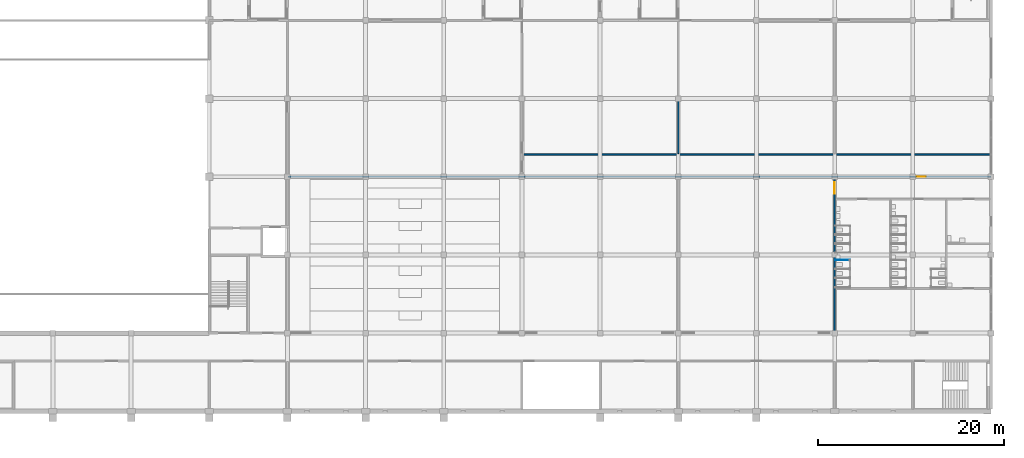
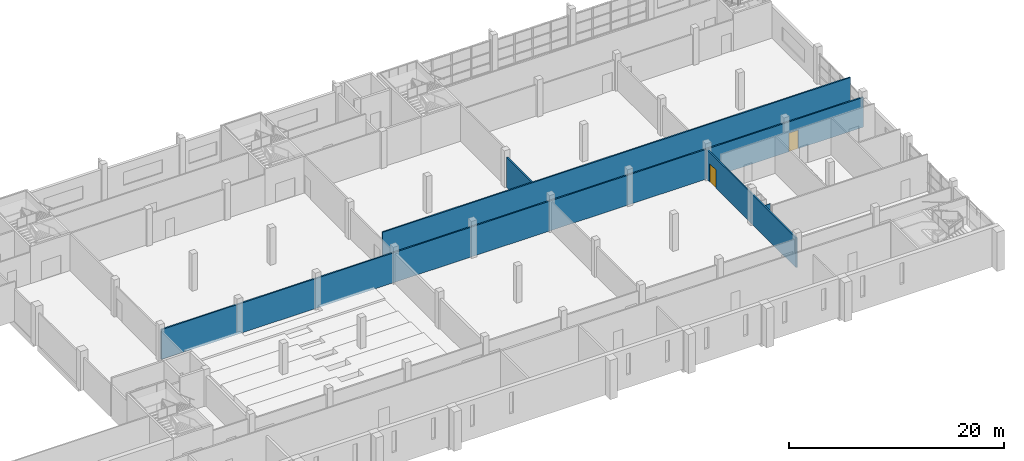
# One storey, part 26 of 56: 5 walls, 2 doors, 2 openings.
"""IFC4 building model written with IfcOpenShell, lengths in metres."""

from ifc_helpers import new_model, si_unit, direction, frame, frame_2d, origin, place, context, subcontext, project, spatial, rectangle, extrude, material, layer, layer_set, type_object, element, fill, save


model = new_model("IFC4")

# Units and contexts
model_context = context("Model", 3, precision=1e-05, world=origin(), true_north=direction((0.0, 1.0)))
body_context = subcontext(model_context, "Body", "Model", "MODEL_VIEW")
ifc_project = project(units=[si_unit("LENGTHUNIT", "METRE"), si_unit("AREAUNIT", "SQUARE_METRE"), si_unit("VOLUMEUNIT", "CUBIC_METRE"), si_unit("PLANEANGLEUNIT", "RADIAN"), si_unit("MASSUNIT", "GRAM", prefix="KILO")], contexts=[model_context])

# Site, building, storey
site_placement = place(None, origin())
site = spatial("IfcSite", under=ifc_project, at=site_placement, CompositionType="ELEMENT")
building_placement = place(site_placement, origin())
building = spatial("IfcBuilding", under=site, at=building_placement, Name="Rulbaag Community and Learning Centre", CompositionType="ELEMENT")
storey_placement = place(building_placement, frame((0.0, 0.0, 9.89990234375)))
storey = spatial("IfcBuildingStorey", under=building, at=storey_placement, Name="L02", CompositionType="ELEMENT", Elevation=9.89990234375)

# Wall
ifc_material_1 = material(Name="High pressure laminate", Category="wood")
ifc_layer_1 = layer(ifc_material_1, 0.0400390625)
ifc_layer_set_1 = layer_set([ifc_layer_1], Name="CP-40")
wall_type_1 = type_object("IfcWallType", Name="CP-40", PredefinedType="PARTITIONING", material=ifc_layer_set_1)
wall_1_placement = place(storey_placement, frame((151.27490234375, 16.25, 0.0), z_axis=(0.0, 0.0, 1.0), x_axis=(1.0, 0.0, 0.0)))
element("IfcWall", 1, at=wall_1_placement, inside=storey, type_object=wall_type_1, Name="Cubicle partition", PredefinedType="PARTITIONING", context=body_context, shape_type="SweptSolid", body=[
    extrude(rectangle(XDim=1.59521484375, YDim=0.0400390625, at=frame_2d((0.797607421875, 0.0))), origin(), (0.0, 0.0, 1.0), 2.0),
])

# Wall, opening, door
ifc_material_2 = material(Name="Concrete blockwork", Category="masonry")
ifc_layer_2 = layer(ifc_material_2, 0.14990234375)
ifc_layer_set_2 = layer_set([ifc_layer_2], Name="IP-150 PARTITION 150")
wall_type_2 = type_object("IfcWallType", Name="IP-150 PARTITION 150", PredefinedType="PARTITIONING", material=ifc_layer_set_2)
wall_2_placement = place(storey_placement, frame((92.47509765625, 25.199951171875, 0.0), z_axis=(0.0, 0.0, 1.0), x_axis=(1.0, 0.0, 0.0)))
wall_2 = element("IfcWall", 2, at=wall_2_placement, inside=storey, type_object=wall_type_2, Name="Partition L02 19", PredefinedType="PARTITIONING", context=body_context, shape_type="SweptSolid", body=[
    extrude(rectangle(XDim=75.52490234375, YDim=0.14990234375, at=frame_2d((37.762451171875, 0.0))), origin(), (0.0, 0.0, 1.0), 3.400146484375),
])
opening_1_placement = place(wall_2_placement, frame((67.52490234375, 0.0, 0.0)))
opening_1 = element("IfcOpeningElement", 3, at=opening_1_placement, cuts=wall_2, Name="Opening L02-D121", PredefinedType="OPENING", context=body_context, shape_type="SweptSolid", body=[
    extrude(rectangle(XDim=1.0, YDim=2.10009765625, at=frame_2d((0.5, 1.050048828125))), frame((0.0, 0.0849609375, 0.0), z_axis=(0.0, -1.0, 0.0), x_axis=(1.0, 0.0, 0.0)), (0.0, 0.0, 1.0), 0.169921875),
])
ifc_material_3 = material(Name="Timber", Category="wood")
door_type_1 = type_object("IfcDoorType", Name="D-1000 DOOR 1000 x 2100", OperationType="SINGLE_SWING_LEFT", PredefinedType="DOOR", material=ifc_material_3)
door_1_placement = place(opening_1_placement, origin())
door_1 = element("IfcDoor", 4, at=door_1_placement, inside=storey, type_object=door_type_1, Name="Door L02-D121", OperationType="SINGLE_SWING_RIGHT", OverallHeight=2.10009765625, OverallWidth=1.0, PredefinedType="DOOR", context=body_context, shape_type="SweptSolid", body=[
    extrude(rectangle(XDim=1.0, YDim=2.10009765625, at=frame_2d((0.5, 1.050048828125))), frame((0.0, 0.02490234375, 0.0), z_axis=(0.0, -1.0, 0.0), x_axis=(1.0, 0.0, 0.0)), (0.0, 0.0, 1.0), 0.050048828125),
])
fill(opening_1, door_1)

# Walls
wall_3_placement = place(storey_placement, frame((117.675048828125, 27.60009765625, 0.0), z_axis=(0.0, 0.0, 1.0), x_axis=(1.0, 0.0, 0.0)))
element("IfcWall", 5, at=wall_3_placement, inside=storey, type_object=wall_type_2, Name="Partition L02 20", PredefinedType="PARTITIONING", context=body_context, shape_type="SweptSolid", body=[
    extrude(rectangle(XDim=50.324951171875, YDim=0.14990234375, at=frame_2d((25.16259765625, 0.0))), origin(), (0.0, 0.0, 1.0), 4.2001953125),
])
wall_4_placement = place(storey_placement, frame((134.39990234375, 27.675048828125, 0.0), z_axis=(0.0, 0.0, 1.0), x_axis=(0.0, 1.0, 0.0)))
element("IfcWall", 6, at=wall_4_placement, inside=storey, type_object=wall_type_2, Name="Partition L02 70", PredefinedType="PARTITIONING", context=body_context, shape_type="SweptSolid", body=[
    extrude(rectangle(XDim=5.64501953125, YDim=0.14990234375, at=frame_2d((2.822509765625, 0.0))), origin(), (0.0, 0.0, 1.0), 3.400146484375),
])

# Wall, opening, door
wall_5_placement = place(storey_placement, frame((151.199951171875, 8.47509765625, 0.0), z_axis=(0.0, 0.0, 1.0), x_axis=(0.0, 1.0, 0.0)))
wall_5 = element("IfcWall", 7, at=wall_5_placement, inside=storey, type_object=wall_type_2, Name="Partition L02 78", PredefinedType="PARTITIONING", context=body_context, shape_type="SweptSolid", body=[
    extrude(rectangle(XDim=16.64990234375, YDim=0.14990234375, at=frame_2d((8.324951171875, 0.0))), origin(), (0.0, 0.0, 1.0), 3.400146484375),
])
opening_2_placement = place(wall_5_placement, frame((14.925048828125, 0.0, 0.0)))
opening_2 = element("IfcOpeningElement", 8, at=opening_2_placement, cuts=wall_5, Name="Opening L02-D095", PredefinedType="OPENING", context=body_context, shape_type="SweptSolid", body=[
    extrude(rectangle(XDim=1.199951171875, YDim=2.10009765625, at=frame_2d((0.60009765625, 1.050048828125))), frame((0.0, 0.0849609375, 0.0), z_axis=(0.0, -1.0, 0.0), x_axis=(1.0, 0.0, 0.0)), (0.0, 0.0, 1.0), 0.169921875),
])
door_type_2 = type_object("IfcDoorType", Name="DC-1200 CLASSROOM DOOR 1200 x 2100", OperationType="SINGLE_SWING_LEFT", PredefinedType="DOOR", material=ifc_material_3)
door_2_placement = place(opening_2_placement, origin())
door_2 = element("IfcDoor", 9, at=door_2_placement, inside=storey, type_object=door_type_2, Name="Door L02-D095", OperationType="SINGLE_SWING_RIGHT", OverallHeight=2.10009765625, OverallWidth=1.199951171875, PredefinedType="DOOR", context=body_context, shape_type="SweptSolid", body=[
    extrude(rectangle(XDim=1.199951171875, YDim=2.10009765625, at=frame_2d((0.60009765625, 1.050048828125))), frame((0.0, 0.02490234375, 0.0), z_axis=(0.0, -1.0, 0.0), x_axis=(1.0, 0.0, 0.0)), (0.0, 0.0, 1.0), 0.050048828125),
])
fill(opening_2, door_2)

save(model, "model.ifc")
